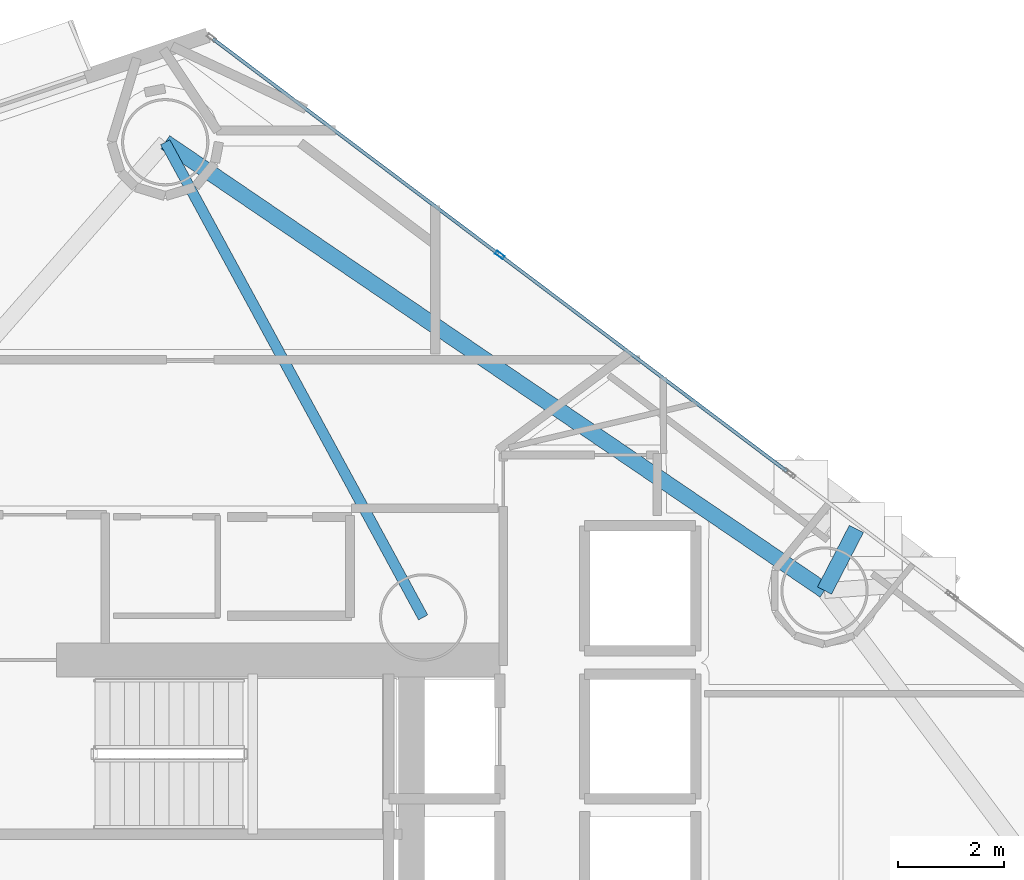
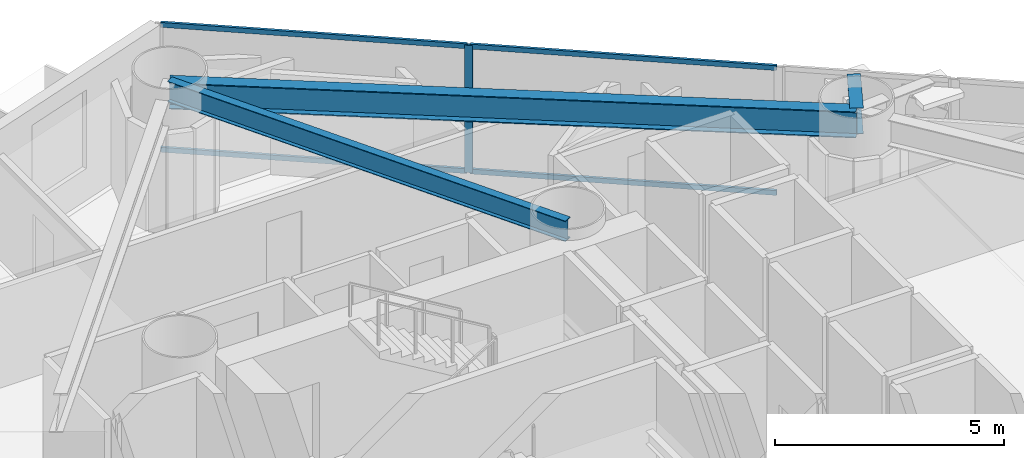
# One storey, part 9 of 22: 5 members, 3 beams, 1 element without a shape of its own.
"""IFC4 building model written with IfcOpenShell, lengths in metres."""

from ifc_helpers import new_model, si_unit, direction, frame, origin, origin_2d, place, context, subcontext, project, spatial, hollow_rectangle, i_section, extrude, material, layer, layer_set, material_profile, profile_set, type_object, element, aggregate, save


model = new_model("IFC4")

# Units and contexts
model_context = context("Model", 3, precision=1e-05, world=origin(), true_north=direction((0.0, 1.0)))
body_context = subcontext(model_context, "Body", "Model", "MODEL_VIEW")
ifc_project = project(units=[si_unit("LENGTHUNIT", "METRE"), si_unit("AREAUNIT", "SQUARE_METRE"), si_unit("VOLUMEUNIT", "CUBIC_METRE"), si_unit("PLANEANGLEUNIT", "RADIAN"), si_unit("MASSUNIT", "GRAM", prefix="KILO")], contexts=[model_context])

# Site, building, storey
site_placement = place(None, origin())
site = spatial("IfcSite", under=ifc_project, at=site_placement, CompositionType="ELEMENT")
building_placement = place(site_placement, origin())
building = spatial("IfcBuilding", under=site, at=building_placement, Name="Qianvela Tower", CompositionType="ELEMENT")
storey_placement = place(building_placement, frame((0.0, 0.0, 89.5)))
storey = spatial("IfcBuildingStorey", under=building, at=storey_placement, Name="L22", CompositionType="ELEMENT", Elevation=89.5)

# Beams
ifc_material_1 = material(Name="Steel Q355B", Category="steel")
ifc_material_profile_1 = material_profile(ifc_material_1, i_section(OverallWidth=0.199951171875, OverallDepth=0.550048828125, WebThickness=0.010009765625, FlangeThickness=0.01611328125, at=origin_2d()), Name="HN550x200x10x16")
ifc_profile_set_1 = profile_set([ifc_material_profile_1], Name="Steel Q355B")
beam_type_1 = type_object("IfcBeamType", Name="BM-HN550-GIRD", PredefinedType="BEAM", material=ifc_profile_set_1)
beam_1_placement = place(storey_placement, frame((38.39990234375, 33.550048828125, 3.123046875), z_axis=(-0.477069714043, 0.878865454972, 0.0), x_axis=(-0.878865454972, -0.477069714043, 0.0)))
element("IfcBeam", 1, at=beam_1_placement, inside=storey, type_object=beam_type_1, Name="L22 Radial Primary Floor Girder 3", PredefinedType="BEAM", context=body_context, shape_type="SweptSolid", body=[
    extrude(i_section(OverallWidth=0.199951171875, OverallDepth=0.550048828125, WebThickness=0.010009765625, FlangeThickness=0.01611328125, at=origin_2d()), origin(), (0.0, 0.0, 1.0), 10.216552734375),
])
ifc_material_2 = material(Name="Steel Q355B", Category="steel")
ifc_material_profile_2 = material_profile(ifc_material_2, i_section(OverallWidth=0.300048828125, OverallDepth=0.699951171875, WebThickness=0.012939453125, FlangeThickness=0.02392578125, at=origin_2d()), Name="HN700x300x13x24")
ifc_profile_set_2 = profile_set([ifc_material_profile_2], Name="Steel Q355B")
beam_type_2 = type_object("IfcBeamType", Name="BM-HN700-SPAND", PredefinedType="SPANDREL", material=ifc_profile_set_2)
beam_2_placement = place(storey_placement, frame((45.98388671875, 34.056884765625, 3.048095703125), z_axis=(0.459164562651, 0.888351228065, 0.0), x_axis=(-0.888351228065, 0.459164562651, 0.0)))
element("IfcBeam", 2, at=beam_2_placement, inside=storey, type_object=beam_type_2, Name="L22 Mega-Brace Column Tie Bracket F1-2", PredefinedType="SPANDREL", context=body_context, shape_type="SweptSolid", body=[
    extrude(i_section(OverallWidth=0.300048828125, OverallDepth=0.699951171875, WebThickness=0.012939453125, FlangeThickness=0.02392578125, at=origin_2d()), origin(), (0.0, 0.0, 1.0), 1.311279296875),
])
beam_3_placement = place(storey_placement, frame((45.98388671875, 34.056884765625, 3.048095703125), z_axis=(-0.826904197504, 0.562342820839, 0.0), x_axis=(-0.562342820839, -0.826904197504, 0.0)))
element("IfcBeam", 3, at=beam_3_placement, inside=storey, type_object=beam_type_2, Name="L22 Perimeter Ring Spandrel Girder 2", PredefinedType="SPANDREL", context=body_context, shape_type="SweptSolid", body=[
    extrude(i_section(OverallWidth=0.300048828125, OverallDepth=0.699951171875, WebThickness=0.012939453125, FlangeThickness=0.02392578125, at=origin_2d()), origin(), (0.0, 0.0, 1.0), 15.06591796875),
])

# Curtain wall, members
ifc_material_3 = material(Name="Anodised Architectural Aluminium and Low-E Glass", Category="aluminium")
ifc_layer = layer(ifc_material_3, 0.179931640625)
ifc_layer_set = layer_set([ifc_layer], Name="Anodised Architectural Aluminium and Low-E Glass")
curtain_wall_type = type_object("IfcCurtainWallType", Name="CW-COLIV-Z12", PredefinedType="USERDEFINED", material=ifc_layer_set)
curtain_wall_placement = place(storey_placement, origin())
curtain_wall = element("IfcCurtainWall", 4, at=curtain_wall_placement, inside=storey, type_object=curtain_wall_type, Name="L22 CW-COLIV-Z12 Curtain Wall 02C", ObjectType="CURTAIN_WALL_SYSTEM", PredefinedType="USERDEFINED")
ifc_material_4 = material(Name="Anodised Architectural Aluminium 6063-T6", Category="aluminium")
ifc_material_profile_3 = material_profile(ifc_material_4, hollow_rectangle(XDim=0.070068359375, YDim=0.179931640625, WallThickness=0.0048828125, at=origin_2d()), Name="ALU-MULL-70x180")
ifc_profile_set_3 = profile_set([ifc_material_profile_3], Name="Anodised Architectural Aluminium 6063-T6")
member_type_1 = type_object("IfcMemberType", Name="CW-COLIV-Z12-MULL", PredefinedType="MULLION", material=ifc_profile_set_3)
member_1_placement = place(storey_placement, frame((39.849609375, 40.396484375, 0.0), z_axis=(0.0, 0.0, 1.0), x_axis=(-0.601713303516, -0.798712151136, 0.0)))
member_1 = element("IfcMember", 5, at=member_1_placement, type_object=member_type_1, Name="CW-3 mullion 2", PredefinedType="MULLION", context=body_context, shape_type="SweptSolid", body=[
    extrude(hollow_rectangle(XDim=0.070068359375, YDim=0.179931640625, WallThickness=0.0048828125, at=origin_2d()), origin(), (0.0, 0.0, 1.0), 3.39990234375),
])
ifc_material_5 = material(Name="Anodised Architectural Aluminium 6063-T6", Category="aluminium")
ifc_material_profile_4 = material_profile(ifc_material_5, hollow_rectangle(XDim=0.06494140625, YDim=0.1298828125, WallThickness=0.00439453125, at=origin_2d()), Name="ALU-TRAN-65x130")
ifc_profile_set_4 = profile_set([ifc_material_profile_4], Name="Anodised Architectural Aluminium 6063-T6")
member_type_2 = type_object("IfcMemberType", Name="CW-COLIV-Z12-TRAN", PredefinedType="USERDEFINED", material=ifc_profile_set_4)
member_2_placement = place(storey_placement, frame((45.271728515625, 36.31201171875, 0.032470703125), z_axis=(-0.798722781171, 0.601699192985, 0.0), x_axis=(-0.601699192985, -0.798722781171, 0.0)))
member_2 = element("IfcMember", 6, at=member_2_placement, type_object=member_type_2, Name="CW-3 transom 1.1", ObjectType="TRANSOM", PredefinedType="USERDEFINED", context=body_context, shape_type="SweptSolid", body=[
    extrude(hollow_rectangle(XDim=0.06494140625, YDim=0.1298828125, WallThickness=0.00439453125, at=origin_2d()), origin(), (0.0, 0.0, 1.0), 6.75341796875),
])
member_3_placement = place(storey_placement, frame((45.271728515625, 36.31201171875, 3.367431640625), z_axis=(-0.798722781171, 0.601699192985, 0.0), x_axis=(-0.601699192985, -0.798722781171, 0.0)))
member_3 = element("IfcMember", 7, at=member_3_placement, type_object=member_type_2, Name="CW-3 transom 1.2", ObjectType="TRANSOM", PredefinedType="USERDEFINED", context=body_context, shape_type="SweptSolid", body=[
    extrude(hollow_rectangle(XDim=0.06494140625, YDim=0.1298828125, WallThickness=0.00439453125, at=origin_2d()), origin(), (0.0, 0.0, 1.0), 6.75341796875),
])
member_4_placement = place(storey_placement, frame((39.82177734375, 40.417724609375, 0.032470703125), z_axis=(-0.798722781171, 0.601699192985, 0.0), x_axis=(-0.601699192985, -0.798722781171, 0.0)))
member_4 = element("IfcMember", 8, at=member_4_placement, type_object=member_type_2, Name="CW-3 transom 2.1", ObjectType="TRANSOM", PredefinedType="USERDEFINED", context=body_context, shape_type="SweptSolid", body=[
    extrude(hollow_rectangle(XDim=0.06494140625, YDim=0.1298828125, WallThickness=0.00439453125, at=origin_2d()), origin(), (0.0, 0.0, 1.0), 6.75341796875),
])
member_5_placement = place(storey_placement, frame((39.82177734375, 40.417724609375, 3.367431640625), z_axis=(-0.798722781171, 0.601699192985, 0.0), x_axis=(-0.601699192985, -0.798722781171, 0.0)))
member_5 = element("IfcMember", 9, at=member_5_placement, type_object=member_type_2, Name="CW-3 transom 2.2", ObjectType="TRANSOM", PredefinedType="USERDEFINED", context=body_context, shape_type="SweptSolid", body=[
    extrude(hollow_rectangle(XDim=0.06494140625, YDim=0.1298828125, WallThickness=0.00439453125, at=origin_2d()), origin(), (0.0, 0.0, 1.0), 6.75341796875),
])
aggregate(curtain_wall, [member_1, member_2, member_3, member_4, member_5])

save(model, "model.ifc")
